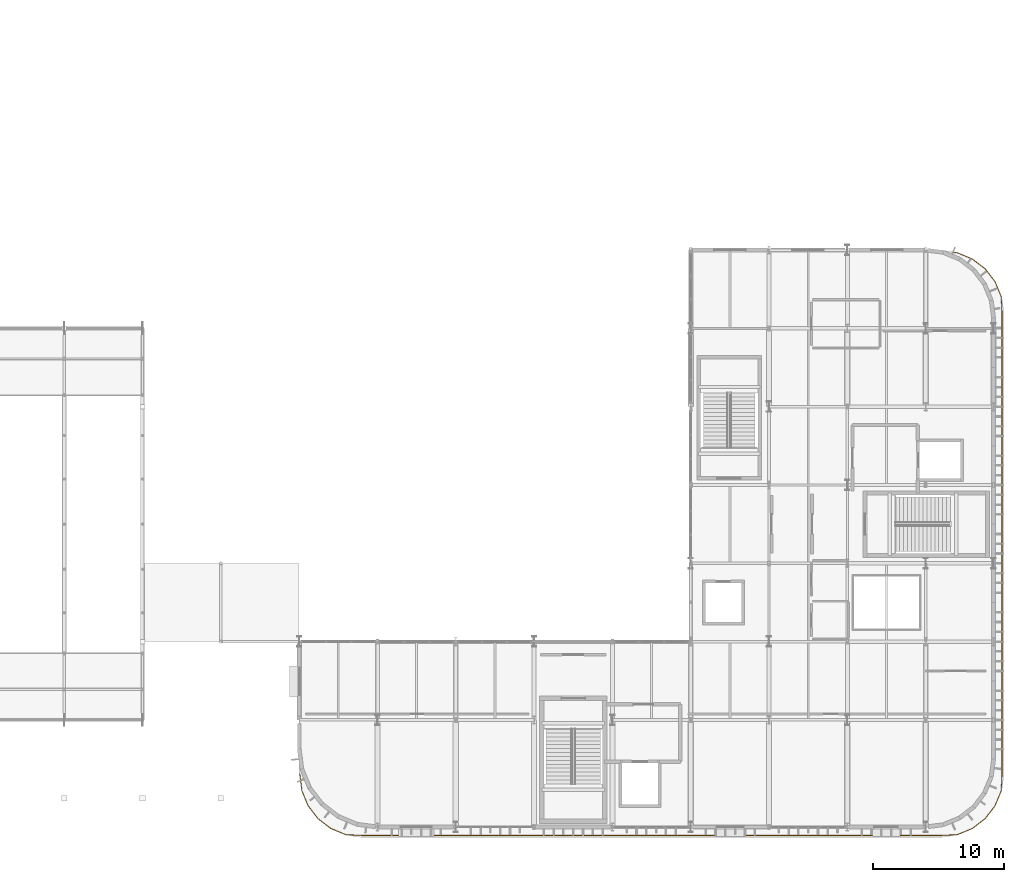
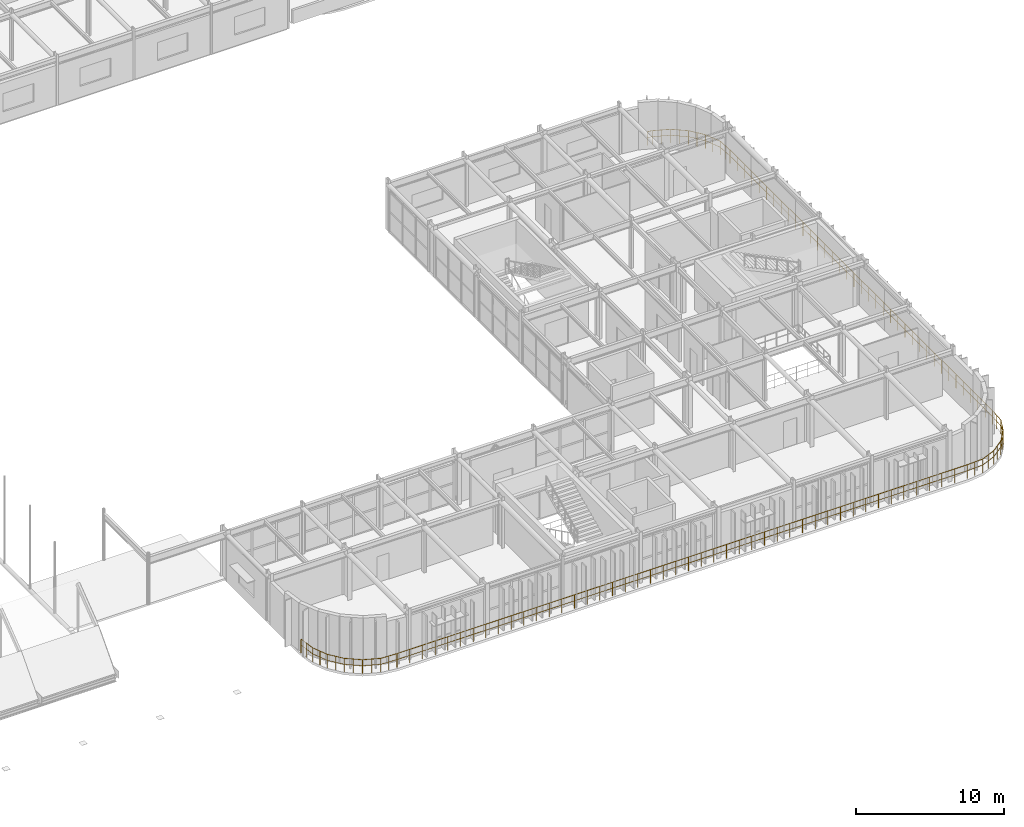
# One storey, part 114 of 116: 1 railing.
"""IFC4 building model written with IfcOpenShell, lengths in metres."""

from ifc_helpers import new_model, si_unit, direction, frame, origin, origin_2d, place, context, subcontext, project, spatial, circle, extrude, material, type_object, element, save


model = new_model("IFC4")

# Units and contexts
model_context = context("Model", 3, precision=1e-05, world=origin(), true_north=direction((0.0, 1.0)))
body_context = subcontext(model_context, "Body", "Model", "MODEL_VIEW")
ifc_project = project(units=[si_unit("LENGTHUNIT", "METRE"), si_unit("AREAUNIT", "SQUARE_METRE"), si_unit("VOLUMEUNIT", "CUBIC_METRE"), si_unit("PLANEANGLEUNIT", "RADIAN"), si_unit("MASSUNIT", "GRAM", prefix="KILO")], contexts=[model_context])

# Site, building, storey
site_placement = place(None, origin())
site = spatial("IfcSite", under=ifc_project, at=site_placement, CompositionType="ELEMENT")
building_placement = place(site_placement, origin())
building = spatial("IfcBuilding", under=site, at=building_placement, Name="Varnakota Square Police Headquarters", CompositionType="ELEMENT")
storey_placement = place(building_placement, frame((0.0, 0.0, 9.300048828125)))
storey = spatial("IfcBuildingStorey", under=building, at=storey_placement, Name="L02", CompositionType="ELEMENT", Elevation=9.300048828125)

# Railing
ifc_material = material(Name="Galvanised Powder-Coated Steel Guardrail", Category="steel")
railing_type = type_object("IfcRailingType", Name="RL-BAL-1150", PredefinedType="BALUSTRADE", material=ifc_material)
railing_placement = place(storey_placement, frame((158.076171875, 44.834228515625, 0.0)))
element("IfcRailing", 1, at=railing_placement, inside=storey, type_object=railing_type, Name="Perimeter edge safety guard GD-AUTO-L02-050", PredefinedType="BALUSTRADE", context=body_context, shape_type="SweptSolid", body=[
    extrude(circle(Radius=0.02392578125, at=origin_2d()), frame((0.0, 0.0, 1.1259765625), z_axis=(0.991388830753, -0.130951083454, 0.0), x_axis=(0.130951083454, 0.991388830753, 0.0)), (0.0, 0.0, 1.0), 0.356201171875),
    extrude(circle(Radius=0.01806640625, at=origin_2d()), frame((0.0, 0.0, 0.63232421875), z_axis=(0.991388830753, -0.130951083454, 0.0), x_axis=(0.130951083454, 0.991388830753, 0.0)), (0.0, 0.0, 1.0), 0.356201171875),
    extrude(circle(Radius=0.02392578125, at=origin_2d()), frame((0.35302734375, -0.046630859375, 1.1259765625), z_axis=(0.92391364461, -0.38260106809, 0.0), x_axis=(0.38260106809, 0.92391364461, 0.0)), (0.0, 0.0, 1.0), 1.23974609375),
    extrude(circle(Radius=0.01806640625, at=origin_2d()), frame((0.35302734375, -0.046630859375, 0.63232421875), z_axis=(0.92391364461, -0.38260106809, 0.0), x_axis=(0.38260106809, 0.92391364461, 0.0)), (0.0, 0.0, 1.0), 1.23974609375),
    extrude(circle(Radius=0.02392578125, at=origin_2d()), frame((1.49853515625, -0.52099609375, 1.1259765625), z_axis=(0.793311537696, -0.608815903339, 0.0), x_axis=(0.608815903339, 0.793311537696, 0.0)), (0.0, 0.0, 1.0), 1.239990234375),
    extrude(circle(Radius=0.01806640625, at=origin_2d()), frame((1.49853515625, -0.52099609375, 0.63232421875), z_axis=(0.793311537696, -0.608815903339, 0.0), x_axis=(0.608815903339, 0.793311537696, 0.0)), (0.0, 0.0, 1.0), 1.239990234375),
    extrude(circle(Radius=0.02392578125, at=origin_2d()), frame((2.482177734375, -1.27587890625, 1.1259765625), z_axis=(0.608815903339, -0.793311537696, 0.0), x_axis=(0.793311537696, 0.608815903339, 0.0)), (0.0, 0.0, 1.0), 1.239990234375),
    extrude(circle(Radius=0.01806640625, at=origin_2d()), frame((2.482177734375, -1.27587890625, 0.63232421875), z_axis=(0.608815903339, -0.793311537696, 0.0), x_axis=(0.793311537696, 0.608815903339, 0.0)), (0.0, 0.0, 1.0), 1.239990234375),
    extrude(circle(Radius=0.02392578125, at=origin_2d()), frame((3.237060546875, -2.259521484375, 1.1259765625), z_axis=(0.38260106809, -0.92391364461, 0.0), x_axis=(0.92391364461, 0.38260106809, 0.0)), (0.0, 0.0, 1.0), 1.23974609375),
    extrude(circle(Radius=0.01806640625, at=origin_2d()), frame((3.237060546875, -2.259521484375, 0.63232421875), z_axis=(0.38260106809, -0.92391364461, 0.0), x_axis=(0.92391364461, 0.38260106809, 0.0)), (0.0, 0.0, 1.0), 1.23974609375),
    extrude(circle(Radius=0.02392578125, at=origin_2d()), frame((3.71142578125, -3.405029296875, 1.1259765625), z_axis=(0.05064806659, -0.99871656307, 0.0), x_axis=(0.99871656307, 0.05064806659, 0.0)), (0.0, 0.0, 1.0), 1.23388671875),
    extrude(circle(Radius=0.01806640625, at=origin_2d()), frame((3.71142578125, -3.405029296875, 0.63232421875), z_axis=(0.05064806659, -0.99871656307, 0.0), x_axis=(0.99871656307, 0.05064806659, 0.0)), (0.0, 0.0, 1.0), 1.23388671875),
    extrude(circle(Radius=0.02392578125, at=origin_2d()), frame((3.77392578125, -4.637451171875, 1.1259765625), z_axis=(0.0, -1.0, 0.0), x_axis=(1.0, 0.0, 0.0)), (0.0, 0.0, 1.0), 35.3935546875),
    extrude(circle(Radius=0.01806640625, at=origin_2d()), frame((3.77392578125, -4.637451171875, 0.63232421875), z_axis=(0.0, -1.0, 0.0), x_axis=(1.0, 0.0, 0.0)), (0.0, 0.0, 1.0), 35.3935546875),
    extrude(circle(Radius=0.02392578125, at=origin_2d()), frame((3.77392578125, -40.031005859375, 1.1259765625), z_axis=(-0.05064806659, -0.99871656307, 0.0), x_axis=(0.99871656307, -0.05064806659, 0.0)), (0.0, 0.0, 1.0), 1.23388671875),
    extrude(circle(Radius=0.01806640625, at=origin_2d()), frame((3.77392578125, -40.031005859375, 0.63232421875), z_axis=(-0.05064806659, -0.99871656307, 0.0), x_axis=(0.99871656307, -0.05064806659, 0.0)), (0.0, 0.0, 1.0), 1.23388671875),
    extrude(circle(Radius=0.02392578125, at=origin_2d()), frame((3.71142578125, -41.263427734375, 1.1259765625), z_axis=(-0.38260106809, -0.92391364461, 0.0), x_axis=(0.92391364461, -0.38260106809, 0.0)), (0.0, 0.0, 1.0), 1.23974609375),
    extrude(circle(Radius=0.01806640625, at=origin_2d()), frame((3.71142578125, -41.263427734375, 0.63232421875), z_axis=(-0.38260106809, -0.92391364461, 0.0), x_axis=(0.92391364461, -0.38260106809, 0.0)), (0.0, 0.0, 1.0), 1.23974609375),
    extrude(circle(Radius=0.02392578125, at=origin_2d()), frame((3.237060546875, -42.408935546875, 1.1259765625), z_axis=(-0.608815903339, -0.793311537696, 0.0), x_axis=(0.793311537696, -0.608815903339, 0.0)), (0.0, 0.0, 1.0), 1.239990234375),
    extrude(circle(Radius=0.01806640625, at=origin_2d()), frame((3.237060546875, -42.408935546875, 0.63232421875), z_axis=(-0.608815903339, -0.793311537696, 0.0), x_axis=(0.793311537696, -0.608815903339, 0.0)), (0.0, 0.0, 1.0), 1.239990234375),
    extrude(circle(Radius=0.02392578125, at=origin_2d()), frame((2.482177734375, -43.392578125, 1.1259765625), z_axis=(-0.793311537696, -0.608815903339, 0.0), x_axis=(0.608815903339, -0.793311537696, 0.0)), (0.0, 0.0, 1.0), 1.239990234375),
    extrude(circle(Radius=0.01806640625, at=origin_2d()), frame((2.482177734375, -43.392578125, 0.63232421875), z_axis=(-0.793311537696, -0.608815903339, 0.0), x_axis=(0.608815903339, -0.793311537696, 0.0)), (0.0, 0.0, 1.0), 1.239990234375),
    extrude(circle(Radius=0.02392578125, at=origin_2d()), frame((1.49853515625, -44.1474609375, 1.1259765625), z_axis=(-0.92391364461, -0.38260106809, 0.0), x_axis=(0.38260106809, -0.92391364461, 0.0)), (0.0, 0.0, 1.0), 1.23974609375),
    extrude(circle(Radius=0.01806640625, at=origin_2d()), frame((1.49853515625, -44.1474609375, 0.63232421875), z_axis=(-0.92391364461, -0.38260106809, 0.0), x_axis=(0.38260106809, -0.92391364461, 0.0)), (0.0, 0.0, 1.0), 1.23974609375),
    extrude(circle(Radius=0.02392578125, at=origin_2d()), frame((0.35302734375, -44.621826171875, 1.1259765625), z_axis=(-0.99871656307, -0.05064806659, 0.0), x_axis=(0.05064806659, -0.99871656307, 0.0)), (0.0, 0.0, 1.0), 1.23388671875),
    extrude(circle(Radius=0.01806640625, at=origin_2d()), frame((0.35302734375, -44.621826171875, 0.63232421875), z_axis=(-0.99871656307, -0.05064806659, 0.0), x_axis=(0.05064806659, -0.99871656307, 0.0)), (0.0, 0.0, 1.0), 1.23388671875),
    extrude(circle(Radius=0.02392578125, at=origin_2d()), frame((-0.87939453125, -44.684326171875, 1.1259765625), z_axis=(-1.0, 0.0, 0.0), x_axis=(0.0, -1.0, 0.0)), (0.0, 0.0, 1.0), 44.3935546875),
    extrude(circle(Radius=0.01806640625, at=origin_2d()), frame((-0.87939453125, -44.684326171875, 0.63232421875), z_axis=(-1.0, 0.0, 0.0), x_axis=(0.0, -1.0, 0.0)), (0.0, 0.0, 1.0), 44.3935546875),
    extrude(circle(Radius=0.02392578125, at=origin_2d()), frame((-45.27294921875, -44.684326171875, 1.1259765625), z_axis=(-0.99871656307, 0.05064806659, 0.0), x_axis=(-0.05064806659, -0.99871656307, 0.0)), (0.0, 0.0, 1.0), 1.23388671875),
    extrude(circle(Radius=0.01806640625, at=origin_2d()), frame((-45.27294921875, -44.684326171875, 0.63232421875), z_axis=(-0.99871656307, 0.05064806659, 0.0), x_axis=(-0.05064806659, -0.99871656307, 0.0)), (0.0, 0.0, 1.0), 1.23388671875),
    extrude(circle(Radius=0.02392578125, at=origin_2d()), frame((-46.50537109375, -44.621826171875, 1.1259765625), z_axis=(-0.92391364461, 0.38260106809, 0.0), x_axis=(-0.38260106809, -0.92391364461, 0.0)), (0.0, 0.0, 1.0), 1.23974609375),
    extrude(circle(Radius=0.01806640625, at=origin_2d()), frame((-46.50537109375, -44.621826171875, 0.63232421875), z_axis=(-0.92391364461, 0.38260106809, 0.0), x_axis=(-0.38260106809, -0.92391364461, 0.0)), (0.0, 0.0, 1.0), 1.23974609375),
    extrude(circle(Radius=0.02392578125, at=origin_2d()), frame((-47.65087890625, -44.1474609375, 1.1259765625), z_axis=(-0.793311537696, 0.608815903339, 0.0), x_axis=(-0.608815903339, -0.793311537696, 0.0)), (0.0, 0.0, 1.0), 1.239990234375),
    extrude(circle(Radius=0.01806640625, at=origin_2d()), frame((-47.65087890625, -44.1474609375, 0.63232421875), z_axis=(-0.793311537696, 0.608815903339, 0.0), x_axis=(-0.608815903339, -0.793311537696, 0.0)), (0.0, 0.0, 1.0), 1.239990234375),
    extrude(circle(Radius=0.02392578125, at=origin_2d()), frame((-48.634521484375, -43.392578125, 1.1259765625), z_axis=(-0.608815903339, 0.793311537696, 0.0), x_axis=(-0.793311537696, -0.608815903339, 0.0)), (0.0, 0.0, 1.0), 1.239990234375),
    extrude(circle(Radius=0.01806640625, at=origin_2d()), frame((-48.634521484375, -43.392578125, 0.63232421875), z_axis=(-0.608815903339, 0.793311537696, 0.0), x_axis=(-0.793311537696, -0.608815903339, 0.0)), (0.0, 0.0, 1.0), 1.239990234375),
    extrude(circle(Radius=0.02392578125, at=origin_2d()), frame((-49.389404296875, -42.408935546875, 1.1259765625), z_axis=(-0.38260106809, 0.92391364461, 0.0), x_axis=(-0.92391364461, -0.38260106809, 0.0)), (0.0, 0.0, 1.0), 1.23974609375),
    extrude(circle(Radius=0.01806640625, at=origin_2d()), frame((-49.389404296875, -42.408935546875, 0.63232421875), z_axis=(-0.38260106809, 0.92391364461, 0.0), x_axis=(-0.92391364461, -0.38260106809, 0.0)), (0.0, 0.0, 1.0), 1.23974609375),
    extrude(circle(Radius=0.02392578125, at=origin_2d()), frame((-49.86376953125, -41.263427734375, 1.1259765625), z_axis=(-0.124750448097, 0.992188150352, 0.0), x_axis=(-0.992188150352, -0.124750448097, 0.0)), (0.0, 0.0, 1.0), 1.301513671875),
    extrude(circle(Radius=0.01806640625, at=origin_2d()), frame((-49.86376953125, -41.263427734375, 0.63232421875), z_axis=(-0.124750448097, 0.992188150352, 0.0), x_axis=(-0.992188150352, -0.124750448097, 0.0)), (0.0, 0.0, 1.0), 1.301513671875),
    extrude(circle(Radius=0.02099609375, at=origin_2d()), origin(), (0.0, 0.0, 1.0), 1.101806640625),
    extrude(circle(Radius=0.02099609375, at=origin_2d()), frame((0.35302734375, -0.046630859375, 0.0)), (0.0, 0.0, 1.0), 1.101806640625),
    extrude(circle(Radius=0.02099609375, at=origin_2d()), frame((0.92578125, -0.28369140625, 0.0)), (0.0, 0.0, 1.0), 1.101806640625),
    extrude(circle(Radius=0.02099609375, at=origin_2d()), frame((1.49853515625, -0.52099609375, 0.0)), (0.0, 0.0, 1.0), 1.101806640625),
    extrude(circle(Radius=0.02099609375, at=origin_2d()), frame((1.990234375, -0.8984375, 0.0)), (0.0, 0.0, 1.0), 1.101806640625),
    extrude(circle(Radius=0.02099609375, at=origin_2d()), frame((2.482177734375, -1.27587890625, 0.0)), (0.0, 0.0, 1.0), 1.101806640625),
    extrude(circle(Radius=0.02099609375, at=origin_2d()), frame((2.859619140625, -1.767578125, 0.0)), (0.0, 0.0, 1.0), 1.101806640625),
    extrude(circle(Radius=0.02099609375, at=origin_2d()), frame((3.237060546875, -2.259521484375, 0.0)), (0.0, 0.0, 1.0), 1.101806640625),
    extrude(circle(Radius=0.02099609375, at=origin_2d()), frame((3.47412109375, -2.832275390625, 0.0)), (0.0, 0.0, 1.0), 1.101806640625),
    extrude(circle(Radius=0.02099609375, at=origin_2d()), frame((3.71142578125, -3.405029296875, 0.0)), (0.0, 0.0, 1.0), 1.101806640625),
    extrude(circle(Radius=0.02099609375, at=origin_2d()), frame((3.74267578125, -4.021240234375, 0.0)), (0.0, 0.0, 1.0), 1.101806640625),
    extrude(circle(Radius=0.02099609375, at=origin_2d()), frame((3.77392578125, -4.637451171875, 0.0)), (0.0, 0.0, 1.0), 1.101806640625),
    extrude(circle(Radius=0.02099609375, at=origin_2d()), frame((3.77392578125, -5.62060546875, 0.0)), (0.0, 0.0, 1.0), 1.101806640625),
    extrude(circle(Radius=0.02099609375, at=origin_2d()), frame((3.77392578125, -6.603759765625, 0.0)), (0.0, 0.0, 1.0), 1.101806640625),
    extrude(circle(Radius=0.02099609375, at=origin_2d()), frame((3.77392578125, -7.5869140625, 0.0)), (0.0, 0.0, 1.0), 1.101806640625),
    extrude(circle(Radius=0.02099609375, at=origin_2d()), frame((3.77392578125, -8.570068359375, 0.0)), (0.0, 0.0, 1.0), 1.101806640625),
    extrude(circle(Radius=0.02099609375, at=origin_2d()), frame((3.77392578125, -9.55322265625, 0.0)), (0.0, 0.0, 1.0), 1.101806640625),
    extrude(circle(Radius=0.02099609375, at=origin_2d()), frame((3.77392578125, -10.536376953125, 0.0)), (0.0, 0.0, 1.0), 1.101806640625),
    extrude(circle(Radius=0.02099609375, at=origin_2d()), frame((3.77392578125, -11.51953125, 0.0)), (0.0, 0.0, 1.0), 1.101806640625),
    extrude(circle(Radius=0.02099609375, at=origin_2d()), frame((3.77392578125, -12.502685546875, 0.0)), (0.0, 0.0, 1.0), 1.101806640625),
    extrude(circle(Radius=0.02099609375, at=origin_2d()), frame((3.77392578125, -13.48583984375, 0.0)), (0.0, 0.0, 1.0), 1.101806640625),
    extrude(circle(Radius=0.02099609375, at=origin_2d()), frame((3.77392578125, -14.468994140625, 0.0)), (0.0, 0.0, 1.0), 1.101806640625),
    extrude(circle(Radius=0.02099609375, at=origin_2d()), frame((3.77392578125, -15.4521484375, 0.0)), (0.0, 0.0, 1.0), 1.101806640625),
    extrude(circle(Radius=0.02099609375, at=origin_2d()), frame((3.77392578125, -16.435302734375, 0.0)), (0.0, 0.0, 1.0), 1.101806640625),
    extrude(circle(Radius=0.02099609375, at=origin_2d()), frame((3.77392578125, -17.41845703125, 0.0)), (0.0, 0.0, 1.0), 1.101806640625),
    extrude(circle(Radius=0.02099609375, at=origin_2d()), frame((3.77392578125, -18.401611328125, 0.0)), (0.0, 0.0, 1.0), 1.101806640625),
    extrude(circle(Radius=0.02099609375, at=origin_2d()), frame((3.77392578125, -19.384765625, 0.0)), (0.0, 0.0, 1.0), 1.101806640625),
    extrude(circle(Radius=0.02099609375, at=origin_2d()), frame((3.77392578125, -20.367919921875, 0.0)), (0.0, 0.0, 1.0), 1.101806640625),
    extrude(circle(Radius=0.02099609375, at=origin_2d()), frame((3.77392578125, -21.35107421875, 0.0)), (0.0, 0.0, 1.0), 1.101806640625),
    extrude(circle(Radius=0.02099609375, at=origin_2d()), frame((3.77392578125, -22.334228515625, 0.0)), (0.0, 0.0, 1.0), 1.101806640625),
    extrude(circle(Radius=0.02099609375, at=origin_2d()), frame((3.77392578125, -23.3173828125, 0.0)), (0.0, 0.0, 1.0), 1.101806640625),
    extrude(circle(Radius=0.02099609375, at=origin_2d()), frame((3.77392578125, -24.300537109375, 0.0)), (0.0, 0.0, 1.0), 1.101806640625),
    extrude(circle(Radius=0.02099609375, at=origin_2d()), frame((3.77392578125, -25.28369140625, 0.0)), (0.0, 0.0, 1.0), 1.101806640625),
    extrude(circle(Radius=0.02099609375, at=origin_2d()), frame((3.77392578125, -26.266845703125, 0.0)), (0.0, 0.0, 1.0), 1.101806640625),
    extrude(circle(Radius=0.02099609375, at=origin_2d()), frame((3.77392578125, -27.25, 0.0)), (0.0, 0.0, 1.0), 1.101806640625),
    extrude(circle(Radius=0.02099609375, at=origin_2d()), frame((3.77392578125, -28.233154296875, 0.0)), (0.0, 0.0, 1.0), 1.101806640625),
    extrude(circle(Radius=0.02099609375, at=origin_2d()), frame((3.77392578125, -29.21630859375, 0.0)), (0.0, 0.0, 1.0), 1.101806640625),
    extrude(circle(Radius=0.02099609375, at=origin_2d()), frame((3.77392578125, -30.199462890625, 0.0)), (0.0, 0.0, 1.0), 1.101806640625),
    extrude(circle(Radius=0.02099609375, at=origin_2d()), frame((3.77392578125, -31.1826171875, 0.0)), (0.0, 0.0, 1.0), 1.101806640625),
    extrude(circle(Radius=0.02099609375, at=origin_2d()), frame((3.77392578125, -32.165771484375, 0.0)), (0.0, 0.0, 1.0), 1.101806640625),
    extrude(circle(Radius=0.02099609375, at=origin_2d()), frame((3.77392578125, -33.14892578125, 0.0)), (0.0, 0.0, 1.0), 1.101806640625),
    extrude(circle(Radius=0.02099609375, at=origin_2d()), frame((3.77392578125, -34.132080078125, 0.0)), (0.0, 0.0, 1.0), 1.101806640625),
    extrude(circle(Radius=0.02099609375, at=origin_2d()), frame((3.77392578125, -35.115234375, 0.0)), (0.0, 0.0, 1.0), 1.101806640625),
    extrude(circle(Radius=0.02099609375, at=origin_2d()), frame((3.77392578125, -36.098388671875, 0.0)), (0.0, 0.0, 1.0), 1.101806640625),
    extrude(circle(Radius=0.02099609375, at=origin_2d()), frame((3.77392578125, -37.08154296875, 0.0)), (0.0, 0.0, 1.0), 1.101806640625),
    extrude(circle(Radius=0.02099609375, at=origin_2d()), frame((3.77392578125, -38.064697265625, 0.0)), (0.0, 0.0, 1.0), 1.101806640625),
    extrude(circle(Radius=0.02099609375, at=origin_2d()), frame((3.77392578125, -39.0478515625, 0.0)), (0.0, 0.0, 1.0), 1.101806640625),
    extrude(circle(Radius=0.02099609375, at=origin_2d()), frame((3.77392578125, -40.031005859375, 0.0)), (0.0, 0.0, 1.0), 1.101806640625),
    extrude(circle(Radius=0.02099609375, at=origin_2d()), frame((3.74267578125, -40.647216796875, 0.0)), (0.0, 0.0, 1.0), 1.101806640625),
    extrude(circle(Radius=0.02099609375, at=origin_2d()), frame((3.71142578125, -41.263427734375, 0.0)), (0.0, 0.0, 1.0), 1.101806640625),
    extrude(circle(Radius=0.02099609375, at=origin_2d()), frame((3.47412109375, -41.836181640625, 0.0)), (0.0, 0.0, 1.0), 1.101806640625),
    extrude(circle(Radius=0.02099609375, at=origin_2d()), frame((3.237060546875, -42.408935546875, 0.0)), (0.0, 0.0, 1.0), 1.101806640625),
    extrude(circle(Radius=0.02099609375, at=origin_2d()), frame((2.859619140625, -42.90087890625, 0.0)), (0.0, 0.0, 1.0), 1.101806640625),
    extrude(circle(Radius=0.02099609375, at=origin_2d()), frame((2.482177734375, -43.392578125, 0.0)), (0.0, 0.0, 1.0), 1.101806640625),
    extrude(circle(Radius=0.02099609375, at=origin_2d()), frame((1.990234375, -43.77001953125, 0.0)), (0.0, 0.0, 1.0), 1.101806640625),
    extrude(circle(Radius=0.02099609375, at=origin_2d()), frame((1.49853515625, -44.1474609375, 0.0)), (0.0, 0.0, 1.0), 1.101806640625),
    extrude(circle(Radius=0.02099609375, at=origin_2d()), frame((0.92578125, -44.384765625, 0.0)), (0.0, 0.0, 1.0), 1.101806640625),
    extrude(circle(Radius=0.02099609375, at=origin_2d()), frame((0.35302734375, -44.621826171875, 0.0)), (0.0, 0.0, 1.0), 1.101806640625),
    extrude(circle(Radius=0.02099609375, at=origin_2d()), frame((-0.26318359375, -44.653076171875, 0.0)), (0.0, 0.0, 1.0), 1.101806640625),
    extrude(circle(Radius=0.02099609375, at=origin_2d()), frame((-0.87939453125, -44.684326171875, 0.0)), (0.0, 0.0, 1.0), 1.101806640625),
    extrude(circle(Radius=0.02099609375, at=origin_2d()), frame((-1.865966796875, -44.684326171875, 0.0)), (0.0, 0.0, 1.0), 1.101806640625),
    extrude(circle(Radius=0.02099609375, at=origin_2d()), frame((-2.8525390625, -44.684326171875, 0.0)), (0.0, 0.0, 1.0), 1.101806640625),
    extrude(circle(Radius=0.02099609375, at=origin_2d()), frame((-3.8388671875, -44.684326171875, 0.0)), (0.0, 0.0, 1.0), 1.101806640625),
    extrude(circle(Radius=0.02099609375, at=origin_2d()), frame((-4.825439453125, -44.684326171875, 0.0)), (0.0, 0.0, 1.0), 1.101806640625),
    extrude(circle(Radius=0.02099609375, at=origin_2d()), frame((-5.81201171875, -44.684326171875, 0.0)), (0.0, 0.0, 1.0), 1.101806640625),
    extrude(circle(Radius=0.02099609375, at=origin_2d()), frame((-6.798583984375, -44.684326171875, 0.0)), (0.0, 0.0, 1.0), 1.101806640625),
    extrude(circle(Radius=0.02099609375, at=origin_2d()), frame((-7.78515625, -44.684326171875, 0.0)), (0.0, 0.0, 1.0), 1.101806640625),
    extrude(circle(Radius=0.02099609375, at=origin_2d()), frame((-8.771484375, -44.684326171875, 0.0)), (0.0, 0.0, 1.0), 1.101806640625),
    extrude(circle(Radius=0.02099609375, at=origin_2d()), frame((-9.758056640625, -44.684326171875, 0.0)), (0.0, 0.0, 1.0), 1.101806640625),
    extrude(circle(Radius=0.02099609375, at=origin_2d()), frame((-10.74462890625, -44.684326171875, 0.0)), (0.0, 0.0, 1.0), 1.101806640625),
    extrude(circle(Radius=0.02099609375, at=origin_2d()), frame((-11.731201171875, -44.684326171875, 0.0)), (0.0, 0.0, 1.0), 1.101806640625),
    extrude(circle(Radius=0.02099609375, at=origin_2d()), frame((-12.7177734375, -44.684326171875, 0.0)), (0.0, 0.0, 1.0), 1.101806640625),
    extrude(circle(Radius=0.02099609375, at=origin_2d()), frame((-13.7041015625, -44.684326171875, 0.0)), (0.0, 0.0, 1.0), 1.101806640625),
    extrude(circle(Radius=0.02099609375, at=origin_2d()), frame((-14.690673828125, -44.684326171875, 0.0)), (0.0, 0.0, 1.0), 1.101806640625),
    extrude(circle(Radius=0.02099609375, at=origin_2d()), frame((-15.67724609375, -44.684326171875, 0.0)), (0.0, 0.0, 1.0), 1.101806640625),
    extrude(circle(Radius=0.02099609375, at=origin_2d()), frame((-16.663818359375, -44.684326171875, 0.0)), (0.0, 0.0, 1.0), 1.101806640625),
    extrude(circle(Radius=0.02099609375, at=origin_2d()), frame((-17.650390625, -44.684326171875, 0.0)), (0.0, 0.0, 1.0), 1.101806640625),
    extrude(circle(Radius=0.02099609375, at=origin_2d()), frame((-18.63671875, -44.684326171875, 0.0)), (0.0, 0.0, 1.0), 1.101806640625),
    extrude(circle(Radius=0.02099609375, at=origin_2d()), frame((-19.623291015625, -44.684326171875, 0.0)), (0.0, 0.0, 1.0), 1.101806640625),
    extrude(circle(Radius=0.02099609375, at=origin_2d()), frame((-20.60986328125, -44.684326171875, 0.0)), (0.0, 0.0, 1.0), 1.101806640625),
    extrude(circle(Radius=0.02099609375, at=origin_2d()), frame((-21.596435546875, -44.684326171875, 0.0)), (0.0, 0.0, 1.0), 1.101806640625),
    extrude(circle(Radius=0.02099609375, at=origin_2d()), frame((-22.5830078125, -44.684326171875, 0.0)), (0.0, 0.0, 1.0), 1.101806640625),
    extrude(circle(Radius=0.02099609375, at=origin_2d()), frame((-23.5693359375, -44.684326171875, 0.0)), (0.0, 0.0, 1.0), 1.101806640625),
    extrude(circle(Radius=0.02099609375, at=origin_2d()), frame((-24.555908203125, -44.684326171875, 0.0)), (0.0, 0.0, 1.0), 1.101806640625),
    extrude(circle(Radius=0.02099609375, at=origin_2d()), frame((-25.54248046875, -44.684326171875, 0.0)), (0.0, 0.0, 1.0), 1.101806640625),
    extrude(circle(Radius=0.02099609375, at=origin_2d()), frame((-26.529052734375, -44.684326171875, 0.0)), (0.0, 0.0, 1.0), 1.101806640625),
    extrude(circle(Radius=0.02099609375, at=origin_2d()), frame((-27.515625, -44.684326171875, 0.0)), (0.0, 0.0, 1.0), 1.101806640625),
    extrude(circle(Radius=0.02099609375, at=origin_2d()), frame((-28.501953125, -44.684326171875, 0.0)), (0.0, 0.0, 1.0), 1.101806640625),
    extrude(circle(Radius=0.02099609375, at=origin_2d()), frame((-29.488525390625, -44.684326171875, 0.0)), (0.0, 0.0, 1.0), 1.101806640625),
    extrude(circle(Radius=0.02099609375, at=origin_2d()), frame((-30.47509765625, -44.684326171875, 0.0)), (0.0, 0.0, 1.0), 1.101806640625),
    extrude(circle(Radius=0.02099609375, at=origin_2d()), frame((-31.461669921875, -44.684326171875, 0.0)), (0.0, 0.0, 1.0), 1.101806640625),
    extrude(circle(Radius=0.02099609375, at=origin_2d()), frame((-32.4482421875, -44.684326171875, 0.0)), (0.0, 0.0, 1.0), 1.101806640625),
    extrude(circle(Radius=0.02099609375, at=origin_2d()), frame((-33.4345703125, -44.684326171875, 0.0)), (0.0, 0.0, 1.0), 1.101806640625),
    extrude(circle(Radius=0.02099609375, at=origin_2d()), frame((-34.421142578125, -44.684326171875, 0.0)), (0.0, 0.0, 1.0), 1.101806640625),
    extrude(circle(Radius=0.02099609375, at=origin_2d()), frame((-35.40771484375, -44.684326171875, 0.0)), (0.0, 0.0, 1.0), 1.101806640625),
    extrude(circle(Radius=0.02099609375, at=origin_2d()), frame((-36.394287109375, -44.684326171875, 0.0)), (0.0, 0.0, 1.0), 1.101806640625),
    extrude(circle(Radius=0.02099609375, at=origin_2d()), frame((-37.380859375, -44.684326171875, 0.0)), (0.0, 0.0, 1.0), 1.101806640625),
    extrude(circle(Radius=0.02099609375, at=origin_2d()), frame((-38.3671875, -44.684326171875, 0.0)), (0.0, 0.0, 1.0), 1.101806640625),
    extrude(circle(Radius=0.02099609375, at=origin_2d()), frame((-39.353759765625, -44.684326171875, 0.0)), (0.0, 0.0, 1.0), 1.101806640625),
    extrude(circle(Radius=0.02099609375, at=origin_2d()), frame((-40.34033203125, -44.684326171875, 0.0)), (0.0, 0.0, 1.0), 1.101806640625),
    extrude(circle(Radius=0.02099609375, at=origin_2d()), frame((-41.326904296875, -44.684326171875, 0.0)), (0.0, 0.0, 1.0), 1.101806640625),
    extrude(circle(Radius=0.02099609375, at=origin_2d()), frame((-42.3134765625, -44.684326171875, 0.0)), (0.0, 0.0, 1.0), 1.101806640625),
    extrude(circle(Radius=0.02099609375, at=origin_2d()), frame((-43.2998046875, -44.684326171875, 0.0)), (0.0, 0.0, 1.0), 1.101806640625),
    extrude(circle(Radius=0.02099609375, at=origin_2d()), frame((-44.286376953125, -44.684326171875, 0.0)), (0.0, 0.0, 1.0), 1.101806640625),
    extrude(circle(Radius=0.02099609375, at=origin_2d()), frame((-45.27294921875, -44.684326171875, 0.0)), (0.0, 0.0, 1.0), 1.101806640625),
    extrude(circle(Radius=0.02099609375, at=origin_2d()), frame((-45.88916015625, -44.653076171875, 0.0)), (0.0, 0.0, 1.0), 1.101806640625),
    extrude(circle(Radius=0.02099609375, at=origin_2d()), frame((-46.50537109375, -44.621826171875, 0.0)), (0.0, 0.0, 1.0), 1.101806640625),
    extrude(circle(Radius=0.02099609375, at=origin_2d()), frame((-47.078125, -44.384765625, 0.0)), (0.0, 0.0, 1.0), 1.101806640625),
    extrude(circle(Radius=0.02099609375, at=origin_2d()), frame((-47.65087890625, -44.1474609375, 0.0)), (0.0, 0.0, 1.0), 1.101806640625),
    extrude(circle(Radius=0.02099609375, at=origin_2d()), frame((-48.142578125, -43.77001953125, 0.0)), (0.0, 0.0, 1.0), 1.101806640625),
    extrude(circle(Radius=0.02099609375, at=origin_2d()), frame((-48.634521484375, -43.392578125, 0.0)), (0.0, 0.0, 1.0), 1.101806640625),
    extrude(circle(Radius=0.02099609375, at=origin_2d()), frame((-49.011962890625, -42.90087890625, 0.0)), (0.0, 0.0, 1.0), 1.101806640625),
    extrude(circle(Radius=0.02099609375, at=origin_2d()), frame((-49.389404296875, -42.408935546875, 0.0)), (0.0, 0.0, 1.0), 1.101806640625),
    extrude(circle(Radius=0.02099609375, at=origin_2d()), frame((-49.62646484375, -41.836181640625, 0.0)), (0.0, 0.0, 1.0), 1.101806640625),
    extrude(circle(Radius=0.02099609375, at=origin_2d()), frame((-49.86376953125, -41.263427734375, 0.0)), (0.0, 0.0, 1.0), 1.101806640625),
    extrude(circle(Radius=0.02099609375, at=origin_2d()), frame((-49.94482421875, -40.61767578125, 0.0)), (0.0, 0.0, 1.0), 1.101806640625),
    extrude(circle(Radius=0.02099609375, at=origin_2d()), frame((-50.026123046875, -39.97216796875, 0.0)), (0.0, 0.0, 1.0), 1.101806640625),
])

save(model, "model.ifc")
